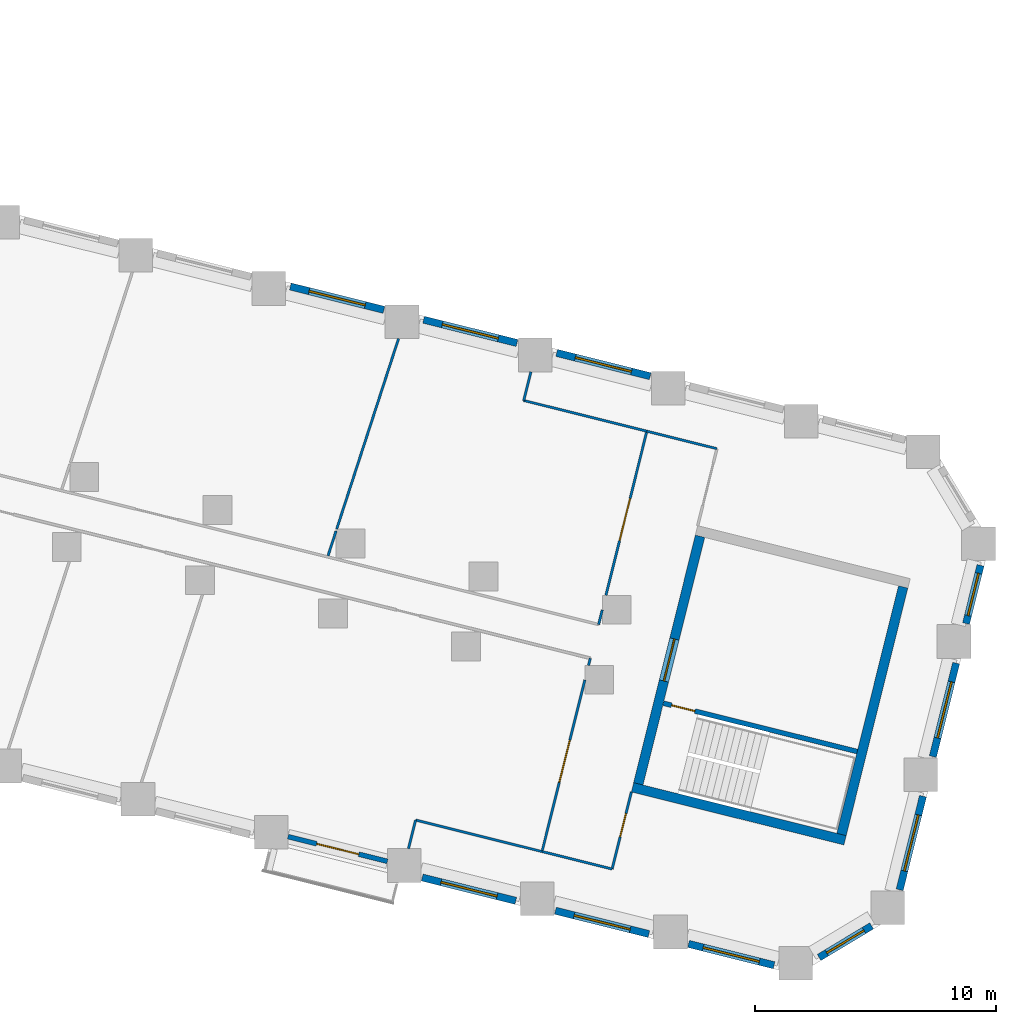
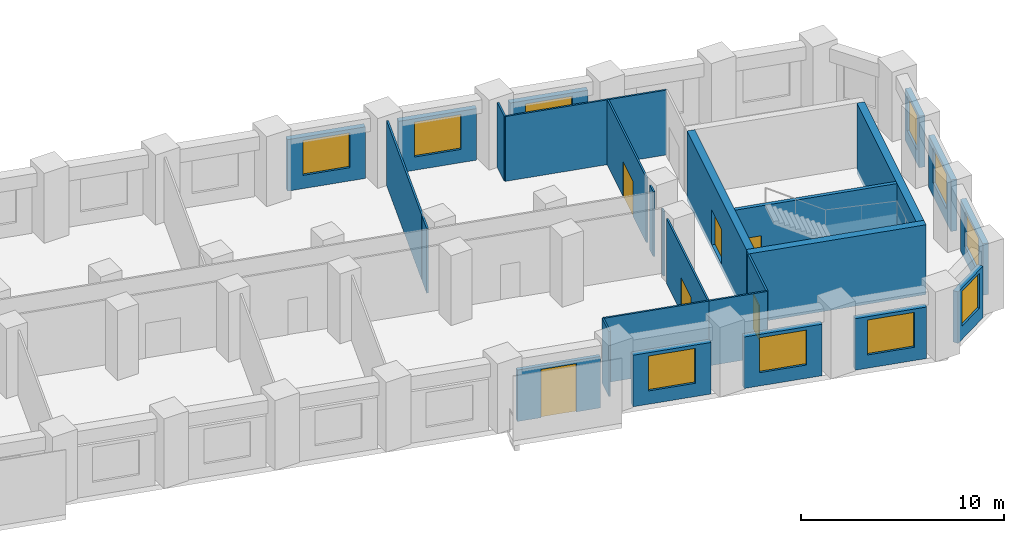
# One storey, part 7 of 12: 28 walls, 10 windows, 6 doors, 16 openings.
"""IFC4 building model written with IfcOpenShell, lengths in metres."""

import ifcopenshell
import ifcopenshell.guid

model = None  # the IFC model being written
_history = None  # IfcOwnerHistory: only IFC2X3 demands one
_inside = {}  # id of a spatial element -> (the spatial element, [elements in it])
_under = {}  # id of a project, library or spatial element -> (it, [spatial elements below it])
_declared = {}  # id of a project -> (the project, [libraries it declares])
_typed = {}  # id of a type object -> (the type object, [elements of that type])
_made_of = {}  # id of a material, layer set ... -> (it, [elements and type objects made of it])


def new_model(schema):
    """Start an empty IFC model of exactly this schema.

    Asked for "IFC4X3", IfcOpenShell would pick the latest addendum, in which some entities
    have other attributes; the version numbers below select the first issue.
    IFC2X3 requires an IfcOwnerHistory on every rooted entity: one is made here for all.
    """
    global model, _history
    if schema == "IFC4X3":
        model = ifcopenshell.file(schema_version=(4, 3, 0, 0))
    else:
        model = ifcopenshell.file(schema=schema)
    _inside.clear()
    _under.clear()
    _declared.clear()
    _typed.clear()
    _made_of.clear()
    _history = None
    if model.schema == "IFC2X3":
        org = make("IfcOrganization", Name="unknown")
        user = make(
            "IfcPersonAndOrganization",
            ThePerson=make("IfcPerson", FamilyName="unknown"),
            TheOrganization=org,
        )
        app = make(
            "IfcApplication",
            ApplicationDeveloper=org,
            Version="unknown",
            ApplicationFullName="unknown",
            ApplicationIdentifier="unknown",
        )
        _history = make(
            "IfcOwnerHistory",
            OwningUser=user,
            OwningApplication=app,
            ChangeAction="ADDED",
            CreationDate=0,
        )
    return model


def make(cls, **values):
    """One entity of the class cls with the attributes given. An attribute that is None is left unset."""
    return model.create_entity(
        cls, **{name: value for name, value in values.items() if value is not None}
    )


def rooted(cls, **values):
    """An entity with a GlobalId (a new one), such as an element, a storey or a relation."""
    return make(cls, GlobalId=ifcopenshell.guid.new(), OwnerHistory=_history, **values)


def si_unit(unit_type, name, prefix=None):
    """IfcSIUnit, for example si_unit("LENGTHUNIT", "METRE", prefix="MILLI")."""
    return make("IfcSIUnit", UnitType=unit_type, Prefix=prefix, Name=name)


def assignment(units):
    """IfcUnitAssignment: the units of a project."""
    return None if units is None else make("IfcUnitAssignment", Units=units)


def point(xyz):
    """IfcCartesianPoint."""
    return None if xyz is None else make("IfcCartesianPoint", Coordinates=xyz)


def direction(xyz):
    """IfcDirection."""
    return None if xyz is None else make("IfcDirection", DirectionRatios=xyz)


def frame(location, z_axis=None, x_axis=None):
    """IfcAxis2Placement3D, a coordinate frame: its origin and axes. An axis left out is left unset."""
    return make(
        "IfcAxis2Placement3D",
        Location=point(location),
        Axis=direction(z_axis),
        RefDirection=direction(x_axis),
    )


def frame_2d(location, x_axis=None):
    """IfcAxis2Placement2D, a coordinate frame in the plane: its origin and x axis."""
    return make(
        "IfcAxis2Placement2D", Location=point(location), RefDirection=direction(x_axis)
    )


def origin():
    """The frame at (0, 0, 0) with its axes left unset."""
    return frame((0.0, 0.0, 0.0))


def place(relative_to, where):
    """IfcLocalPlacement: puts the frame where relative to a parent placement (None: the world)."""
    return make(
        "IfcLocalPlacement", PlacementRelTo=relative_to, RelativePlacement=where
    )


def context(
    kind, dimensions, precision=None, world=None, true_north=None, identifier=None
):
    """IfcGeometricRepresentationContext, for example the 3D "Model" context."""
    return make(
        "IfcGeometricRepresentationContext",
        ContextIdentifier=identifier,
        ContextType=kind,
        CoordinateSpaceDimension=dimensions,
        Precision=precision,
        WorldCoordinateSystem=world,
        TrueNorth=true_north,
    )


def subcontext(parent, identifier, kind, view, scale=None):
    """IfcGeometricRepresentationSubContext, for example "Body" below "Model"."""
    return make(
        "IfcGeometricRepresentationSubContext",
        ContextIdentifier=identifier,
        ContextType=kind,
        ParentContext=parent,
        TargetScale=scale,
        TargetView=view,
    )


def project(units=None, contexts=None):
    """IfcProject with its units and contexts."""
    return rooted(
        "IfcProject",
        Name="project",
        RepresentationContexts=contexts,
        UnitsInContext=assignment(units),
    )


def spatial(cls, under=None, at=None, **own):
    """A site, building, storey or space (cls), placed at a placement, below another one or the project."""
    s = rooted(cls, ObjectPlacement=at, **own)
    if under is not None:
        _under.setdefault(under.id(), (under, []))[1].append(s)
    return s


def profile(cls, at=None, kind="AREA", **sizes):
    """A parametric profile (cls). Its sizes go by their IFC names, for example OverallWidth=200.0."""
    return make(cls, ProfileType=kind, Position=at, **sizes)


def rectangle(**sizes):
    """IfcRectangleProfileDef."""
    return profile("IfcRectangleProfileDef", **sizes)


def extrude(swept, where, along, depth):
    """IfcExtrudedAreaSolid: the profile swept, set in the frame where, extruded along a direction by depth."""
    return make(
        "IfcExtrudedAreaSolid",
        SweptArea=swept,
        Position=where,
        ExtrudedDirection=direction(along),
        Depth=depth,
    )


def shape(context_of_items, identifier, shape_type, items):
    """IfcShapeRepresentation: the items that make up one representation, for example the "Body"."""
    return make(
        "IfcShapeRepresentation",
        ContextOfItems=context_of_items,
        RepresentationIdentifier=identifier,
        RepresentationType=shape_type,
        Items=items,
    )


def material(Name=None, Category=None):
    """IfcMaterial."""
    return make("IfcMaterial", Name=Name, Category=Category)


def layer(
    of_material, thickness, ventilated=None, Name=None, Category=None, Priority=None
):
    """IfcMaterialLayer: one layer of a wall or slab, of a material (None: an air gap)."""
    return make(
        "IfcMaterialLayer",
        Material=of_material,
        LayerThickness=thickness,
        IsVentilated=ventilated,
        Name=Name,
        Category=Category,
        Priority=Priority,
    )


def layer_set(layers, Name=None):
    """IfcMaterialLayerSet."""
    return make("IfcMaterialLayerSet", MaterialLayers=layers, LayerSetName=Name)


def made_of(thing, what):
    """Note that an element or type object is made of a material, layer set ...; save() writes the relation."""
    if what is not None:
        _made_of.setdefault(what.id(), (what, []))[1].append(thing)
    return thing


def type_object(cls, material=None, **own):
    """A type object (cls), such as IfcWallType, which elements share."""
    return made_of(rooted(cls, **own), material)


def element(
    cls,
    number,
    at=None,
    inside=None,
    cuts=None,
    type_object=None,
    material=None,
    context=None,
    identifier="Body",
    shape_type=None,
    held_by="IfcProductDefinitionShape",
    body=None,
    shapes=None,
    **own,
):
    """One element of the class cls, such as IfcWall. Its Tag is "e" and its number.

    at: its placement. inside: the storey or other place that contains it. cuts: it is an
    opening in that element (IfcRelVoidsElement). A single representation is given by context,
    identifier, shape_type and body (its items); several are given by shapes. held_by: the class
    of the entity that holds the representations. save() writes the other relations.
    """
    e = rooted(cls, Tag="e%d" % number, ObjectPlacement=at, **own)
    if body is not None:
        shapes = [shape(context, identifier, shape_type, body)]
    if shapes is not None:
        e.Representation = make(held_by, Representations=shapes)
    if inside is not None:
        _inside.setdefault(inside.id(), (inside, []))[1].append(e)
    if cuts is not None:
        rooted(
            "IfcRelVoidsElement", RelatingBuildingElement=cuts, RelatedOpeningElement=e
        )
    if type_object is not None:
        _typed.setdefault(type_object.id(), (type_object, []))[1].append(e)
    return made_of(e, material)


def fill(opening, filler):
    """IfcRelFillsElement: the door or window that sits in an opening."""
    return rooted(
        "IfcRelFillsElement",
        RelatingOpeningElement=opening,
        RelatedBuildingElement=filler,
    )


def aggregate(whole, parts):
    """IfcRelAggregates: a whole, such as a stair, and the parts it consists of."""
    return rooted("IfcRelAggregates", RelatingObject=whole, RelatedObjects=parts)


def save(model, path):
    """Write the relations noted so far, then the file.

    IfcRelAggregates (storeys below a building ...), IfcRelContainedInSpatialStructure (elements
    in a storey), IfcRelDefinesByType, IfcRelAssociatesMaterial and IfcRelDeclares: one each for
    every whole, place, type object, material and project.
    """
    for whole, parts in _under.values():
        aggregate(whole, parts)
    for where, things in _inside.values():
        rooted(
            "IfcRelContainedInSpatialStructure",
            RelatedElements=things,
            RelatingStructure=where,
        )
    for kind, things in _typed.values():
        rooted("IfcRelDefinesByType", RelatedObjects=things, RelatingType=kind)
    for what, things in _made_of.values():
        rooted("IfcRelAssociatesMaterial", RelatedObjects=things, RelatingMaterial=what)
    for by, libraries in _declared.values():
        rooted("IfcRelDeclares", RelatingContext=by, RelatedDefinitions=libraries)
    model.write(path)


model = new_model("IFC4")

# Units and contexts
model_context = context("Model", 3, precision=1e-05, world=origin(), true_north=direction((0.0, 1.0)))
body_context = subcontext(model_context, "Body", "Model", "MODEL_VIEW")
ifc_project = project(units=[si_unit("LENGTHUNIT", "METRE"), si_unit("AREAUNIT", "SQUARE_METRE"), si_unit("VOLUMEUNIT", "CUBIC_METRE"), si_unit("PLANEANGLEUNIT", "RADIAN"), si_unit("MASSUNIT", "GRAM", prefix="KILO")], contexts=[model_context])

# Site, building, storey
site_placement = place(None, origin())
site = spatial("IfcSite", under=ifc_project, at=site_placement, CompositionType="ELEMENT")
building_placement = place(site_placement, origin())
building = spatial("IfcBuilding", under=site, at=building_placement, Name="Meshkara Civic Tower", CompositionType="ELEMENT")
storey_placement = place(building_placement, frame((0.0, 0.0, 62.39990234375)))
storey = spatial("IfcBuildingStorey", under=building, at=storey_placement, Name="L13", CompositionType="ELEMENT", Elevation=62.39990234375)

# Wall
ifc_material_1 = material(Name="Corridor wall 100")
ifc_layer_1 = layer(ifc_material_1, 0.10009765625)
ifc_layer_set_1 = layer_set([ifc_layer_1], Name="Corridor wall 100")
wall_type_1 = type_object("IfcWallType", Name="Corridor wall 100", PredefinedType="PARTITIONING", material=ifc_layer_set_1)
wall_1_placement = place(storey_placement, frame((72.35302734375, -15.56591796875, 0.0), z_axis=(0.0, 0.0, 1.0), x_axis=(0.970271610033, -0.242018600037, 0.0)))
element("IfcWall", 1, at=wall_1_placement, inside=storey, type_object=wall_type_1, Name="L13-W024", PredefinedType="PARTITIONING", context=body_context, shape_type="SweptSolid", body=[
    extrude(rectangle(XDim=3.0, YDim=0.10009765625, at=frame_2d((1.5, 0.0))), origin(), (0.0, 0.0, 1.0), 3.900146484375),
])

# Wall, opening, door
wall_2_placement = place(storey_placement, frame((74.131103515625, -8.43701171875, 0.0), z_axis=(0.0, 0.0, 1.0), x_axis=(-0.242003930935, -0.970275268886, 0.0)))
wall_2 = element("IfcWall", 2, at=wall_2_placement, inside=storey, type_object=wall_type_1, Name="L13-W025", PredefinedType="PARTITIONING", context=body_context, shape_type="SweptSolid", body=[
    extrude(rectangle(XDim=7.347412109375, YDim=0.10009765625, at=frame_2d((3.673828125, 0.0))), origin(), (0.0, 0.0, 1.0), 3.900146484375),
])
opening_1_placement = place(wall_2_placement, frame((2.580078125, 0.0, 0.0)))
opening_1 = element("IfcOpeningElement", 3, at=opening_1_placement, cuts=wall_2, Name="Opening L13-D002", PredefinedType="OPENING", context=body_context, shape_type="SweptSolid", body=[
    extrude(rectangle(XDim=1.800048828125, YDim=2.10009765625, at=frame_2d((0.89990234375, 1.050048828125))), frame((0.0, 0.06005859375, 0.0), z_axis=(0.0, -1.0, 0.0), x_axis=(1.0, 0.0, 0.0)), (0.0, 0.0, 1.0), 0.1201171875),
])
ifc_material_2 = material(Name="Door pair 1800 x 2100")
door_type_1 = type_object("IfcDoorType", Name="Door pair 1800 x 2100", OperationType="SINGLE_SWING_LEFT", PredefinedType="DOOR", material=ifc_material_2)
door_1_placement = place(opening_1_placement, origin())
door_1 = element("IfcDoor", 4, at=door_1_placement, inside=storey, type_object=door_type_1, Name="L13-D002", OperationType="DOUBLE_DOOR_SINGLE_SWING", OverallHeight=2.10009765625, OverallWidth=1.800048828125, PredefinedType="DOOR", context=body_context, shape_type="SweptSolid", body=[
    extrude(rectangle(XDim=1.800048828125, YDim=2.10009765625, at=frame_2d((0.89990234375, 1.050048828125))), frame((0.0, 0.02490234375, 0.0), z_axis=(0.0, -1.0, 0.0), x_axis=(1.0, 0.0, 0.0)), (0.0, 0.0, 1.0), 0.050048828125),
])
fill(opening_1, door_1)

# Walls
wall_3_placement = place(storey_placement, frame((74.35595703125, -7.534912109375, 0.0), z_axis=(0.0, 0.0, 1.0), x_axis=(-0.24082959107, -0.970567415518, 0.0)))
element("IfcWall", 5, at=wall_3_placement, inside=storey, type_object=wall_type_1, Name="L13-W026", PredefinedType="PARTITIONING", context=body_context, shape_type="SweptSolid", body=[
    extrude(rectangle(XDim=0.30322265625, YDim=0.10009765625, at=frame_2d((0.151611328125, 0.0))), origin(), (0.0, 0.0, 1.0), 3.900146484375),
])
wall_4_placement = place(storey_placement, frame((74.85595703125, -5.527099609375, 0.0), z_axis=(0.0, 0.0, 1.0), x_axis=(-0.241982798004, -0.970280539571, 0.0)))
element("IfcWall", 6, at=wall_4_placement, inside=storey, type_object=wall_type_1, Name="L13-W027", PredefinedType="PARTITIONING", context=body_context, shape_type="SweptSolid", body=[
    extrude(rectangle(XDim=0.62353515625, YDim=0.10009765625, at=frame_2d((0.311767578125, 0.0))), origin(), (0.0, 0.0, 1.0), 3.900146484375),
])

# Wall, opening, door
wall_5_placement = place(storey_placement, frame((75.263916015625, -16.2919921875, 0.0), z_axis=(0.0, 0.0, 1.0), x_axis=(0.242135244173, 0.970242507587, 0.0)))
wall_5 = element("IfcWall", 7, at=wall_5_placement, inside=storey, type_object=wall_type_1, Name="L13-W028", PredefinedType="PARTITIONING", context=body_context, shape_type="SweptSolid", body=[
    extrude(rectangle(XDim=3.300048828125, YDim=0.10009765625, at=frame_2d((1.64990234375, 0.0))), origin(), (0.0, 0.0, 1.0), 3.900146484375),
])
opening_2_placement = place(wall_5_placement, frame((1.3798828125, 0.0, 0.0)))
opening_2 = element("IfcOpeningElement", 8, at=opening_2_placement, cuts=wall_5, Name="Opening L13-D001", PredefinedType="OPENING", context=body_context, shape_type="SweptSolid", body=[
    extrude(rectangle(XDim=1.0, YDim=2.10009765625, at=frame_2d((0.5, 1.050048828125))), frame((0.0, 0.06005859375, 0.0), z_axis=(0.0, -1.0, 0.0), x_axis=(1.0, 0.0, 0.0)), (0.0, 0.0, 1.0), 0.1201171875),
])
ifc_material_3 = material(Name="Door 1000 x 2100")
door_type_2 = type_object("IfcDoorType", Name="Door 1000 x 2100", OperationType="SINGLE_SWING_LEFT", PredefinedType="DOOR", material=ifc_material_3)
door_2_placement = place(opening_2_placement, origin())
door_2 = element("IfcDoor", 9, at=door_2_placement, inside=storey, type_object=door_type_2, Name="L13-D001", OperationType="SINGLE_SWING_LEFT", OverallHeight=2.10009765625, OverallWidth=1.0, PredefinedType="DOOR", context=body_context, shape_type="SweptSolid", body=[
    extrude(rectangle(XDim=1.0, YDim=2.10009765625, at=frame_2d((0.5, 1.050048828125))), frame((0.0, 0.02490234375, 0.0), z_axis=(0.0, -1.0, 0.0), x_axis=(1.0, 0.0, 0.0)), (0.0, 0.0, 1.0), 0.050048828125),
])
fill(opening_2, door_2)

wall_6_placement = place(storey_placement, frame((76.7080078125, 1.89892578125, 0.0), z_axis=(0.0, 0.0, 1.0), x_axis=(-0.241963232294, -0.970285418945, 0.0)))
wall_6 = element("IfcWall", 10, at=wall_6_placement, inside=storey, type_object=wall_type_1, Name="L13-W029", PredefinedType="PARTITIONING", context=body_context, shape_type="SweptSolid", body=[
    extrude(rectangle(XDim=7.025634765625, YDim=0.10009765625, at=frame_2d((3.5126953125, 0.0))), origin(), (0.0, 0.0, 1.0), 3.900146484375),
])
opening_3_placement = place(wall_6_placement, frame((2.8798828125, 0.0, 0.0)))
opening_3 = element("IfcOpeningElement", 11, at=opening_3_placement, cuts=wall_6, Name="Opening L13-D007", PredefinedType="OPENING", context=body_context, shape_type="SweptSolid", body=[
    extrude(rectangle(XDim=1.800048828125, YDim=2.10009765625, at=frame_2d((0.89990234375, 1.050048828125))), frame((0.0, 0.06005859375, 0.0), z_axis=(0.0, -1.0, 0.0), x_axis=(1.0, 0.0, 0.0)), (0.0, 0.0, 1.0), 0.1201171875),
])
door_3_placement = place(opening_3_placement, origin())
door_3 = element("IfcDoor", 12, at=door_3_placement, inside=storey, type_object=door_type_1, Name="L13-D007", OperationType="DOUBLE_DOOR_SINGLE_SWING", OverallHeight=2.10009765625, OverallWidth=1.800048828125, PredefinedType="DOOR", context=body_context, shape_type="SweptSolid", body=[
    extrude(rectangle(XDim=1.800048828125, YDim=2.10009765625, at=frame_2d((0.89990234375, 1.050048828125))), frame((0.0, 0.02490234375, 0.0), z_axis=(0.0, -1.0, 0.0), x_axis=(1.0, 0.0, 0.0)), (0.0, 0.0, 1.0), 0.050048828125),
])
fill(opening_3, door_3)

# Wall
wall_7_placement = place(storey_placement, frame((79.618896484375, 1.173095703125, 0.0), z_axis=(0.0, 0.0, 1.0), x_axis=(-0.970290716908, 0.241941986192, 0.0)))
element("IfcWall", 13, at=wall_7_placement, inside=storey, type_object=wall_type_1, Name="L13-W031", PredefinedType="PARTITIONING", context=body_context, shape_type="SweptSolid", body=[
    extrude(rectangle(XDim=3.0, YDim=0.10009765625, at=frame_2d((1.5, 0.0))), origin(), (0.0, 0.0, 1.0), 3.900146484375),
])

# Wall, opening, window
ifc_material_4 = material(Name="Insulated infill panel with bronze anodised aluminium cladding", Category="aluminium")
ifc_layer_2 = layer(ifc_material_4, 0.300048828125)
ifc_layer_set_2 = layer_set([ifc_layer_2], Name="EXTERNAL INFILL WALL 300")
wall_type_2 = type_object("IfcWallType", Name="EXTERNAL INFILL WALL 300", PredefinedType="SOLIDWALL", material=ifc_layer_set_2)
wall_8_placement = place(storey_placement, frame((76.843994140625, 4.18408203125, 0.0), z_axis=(0.0, 0.0, 1.0), x_axis=(-0.970303772127, 0.241889623168, 0.0)))
wall_8 = element("IfcWall", 14, at=wall_8_placement, inside=storey, type_object=wall_type_2, Name="External wall", PredefinedType="SOLIDWALL", context=body_context, shape_type="SweptSolid", body=[
    extrude(rectangle(XDim=4.001953125, YDim=0.300048828125, at=frame_2d((2.0009765625, 0.0))), origin(), (0.0, 0.0, 1.0), 3.10009765625),
])
opening_4_placement = place(wall_8_placement, frame((0.801025390625, 0.0, 0.800048828125)))
opening_4 = element("IfcOpeningElement", 15, at=opening_4_placement, cuts=wall_8, Name="Opening W7", PredefinedType="OPENING", context=body_context, shape_type="SweptSolid", body=[
    extrude(rectangle(XDim=2.39990234375, YDim=2.10009765625, at=frame_2d((1.199951171875, 1.050048828125))), frame((0.0, 0.159912109375, 0.0), z_axis=(0.0, -1.0, 0.0), x_axis=(1.0, 0.0, 0.0)), (0.0, 0.0, 1.0), 0.320068359375),
])
ifc_material_5 = material(Name="Tinted double glazing", Category="glass")
window_type_1 = type_object("IfcWindowType", Name="WINDOW 2400x2100", PartitioningType="DOUBLE_PANEL_VERTICAL", PredefinedType="WINDOW", material=ifc_material_5)
window_1_placement = place(opening_4_placement, origin())
window_1 = element("IfcWindow", 16, at=window_1_placement, inside=storey, type_object=window_type_1, Name="Window", OverallHeight=2.10009765625, OverallWidth=2.39990234375, PartitioningType="DOUBLE_PANEL_VERTICAL", PredefinedType="WINDOW", context=body_context, shape_type="SweptSolid", body=[
    extrude(rectangle(XDim=2.39990234375, YDim=2.10009765625, at=frame_2d((1.199951171875, 1.050048828125))), frame((0.0, 0.030029296875, 0.0), z_axis=(0.0, -1.0, 0.0), x_axis=(1.0, 0.0, 0.0)), (0.0, 0.0, 1.0), 0.06005859375),
])
fill(opening_4, window_1)

wall_9_placement = place(storey_placement, frame((71.31396484375, 5.56298828125, 0.0), z_axis=(0.0, 0.0, 1.0), x_axis=(-0.970318045095, 0.24183236211, 0.0)))
wall_9 = element("IfcWall", 17, at=wall_9_placement, inside=storey, type_object=wall_type_2, Name="External wall", PredefinedType="SOLIDWALL", context=body_context, shape_type="SweptSolid", body=[
    extrude(rectangle(XDim=4.0029296875, YDim=0.300048828125, at=frame_2d((2.00146484375, 0.0))), origin(), (0.0, 0.0, 1.0), 3.10009765625),
])
opening_5_placement = place(wall_9_placement, frame((0.802001953125, 0.0, 0.800048828125)))
opening_5 = element("IfcOpeningElement", 18, at=opening_5_placement, cuts=wall_9, Name="Opening W7", PredefinedType="OPENING", context=body_context, shape_type="SweptSolid", body=[
    extrude(rectangle(XDim=2.39990234375, YDim=2.10009765625, at=frame_2d((1.199951171875, 1.050048828125))), frame((0.0, 0.159912109375, 0.0), z_axis=(0.0, -1.0, 0.0), x_axis=(1.0, 0.0, 0.0)), (0.0, 0.0, 1.0), 0.320068359375),
])
window_2_placement = place(opening_5_placement, origin())
window_2 = element("IfcWindow", 19, at=window_2_placement, inside=storey, type_object=window_type_1, Name="Window", OverallHeight=2.10009765625, OverallWidth=2.39990234375, PartitioningType="DOUBLE_PANEL_VERTICAL", PredefinedType="WINDOW", context=body_context, shape_type="SweptSolid", body=[
    extrude(rectangle(XDim=2.39990234375, YDim=2.10009765625, at=frame_2d((1.199951171875, 1.050048828125))), frame((0.0, 0.030029296875, 0.0), z_axis=(0.0, -1.0, 0.0), x_axis=(1.0, 0.0, 0.0)), (0.0, 0.0, 1.0), 0.06005859375),
])
fill(opening_5, window_2)

wall_10_placement = place(storey_placement, frame((65.782958984375, 6.94189453125, 0.0), z_axis=(0.0, 0.0, 1.0), x_axis=(-0.970318045095, 0.24183236211, 0.0)))
wall_10 = element("IfcWall", 20, at=wall_10_placement, inside=storey, type_object=wall_type_2, Name="External wall", PredefinedType="SOLIDWALL", context=body_context, shape_type="SweptSolid", body=[
    extrude(rectangle(XDim=4.0029296875, YDim=0.300048828125, at=frame_2d((2.00146484375, 0.0))), origin(), (0.0, 0.0, 1.0), 3.10009765625),
])
opening_6_placement = place(wall_10_placement, frame((0.802001953125, 0.0, 0.800048828125)))
opening_6 = element("IfcOpeningElement", 21, at=opening_6_placement, cuts=wall_10, Name="Opening W7", PredefinedType="OPENING", context=body_context, shape_type="SweptSolid", body=[
    extrude(rectangle(XDim=2.39990234375, YDim=2.10009765625, at=frame_2d((1.199951171875, 1.050048828125))), frame((0.0, 0.159912109375, 0.0), z_axis=(0.0, -1.0, 0.0), x_axis=(1.0, 0.0, 0.0)), (0.0, 0.0, 1.0), 0.320068359375),
])
window_3_placement = place(opening_6_placement, origin())
window_3 = element("IfcWindow", 22, at=window_3_placement, inside=storey, type_object=window_type_1, Name="Window", OverallHeight=2.10009765625, OverallWidth=2.39990234375, PartitioningType="DOUBLE_PANEL_VERTICAL", PredefinedType="WINDOW", context=body_context, shape_type="SweptSolid", body=[
    extrude(rectangle(XDim=2.39990234375, YDim=2.10009765625, at=frame_2d((1.199951171875, 1.050048828125))), frame((0.0, 0.030029296875, 0.0), z_axis=(0.0, -1.0, 0.0), x_axis=(1.0, 0.0, 0.0)), (0.0, 0.0, 1.0), 0.06005859375),
])
fill(opening_6, window_3)

wall_11_placement = place(storey_placement, frame((67.3779296875, -16.64404296875, 0.0), z_axis=(0.0, 0.0, 1.0), x_axis=(0.970260773365, -0.242062040951, 0.0)))
wall_11 = element("IfcWall", 23, at=wall_11_placement, inside=storey, type_object=wall_type_2, Name="External wall", PredefinedType="SOLIDWALL", context=body_context, shape_type="SweptSolid", body=[
    extrude(rectangle(XDim=4.003173828125, YDim=0.300048828125, at=frame_2d((2.00146484375, 0.0))), origin(), (0.0, 0.0, 1.0), 3.10009765625),
])
opening_7_placement = place(wall_11_placement, frame((0.802001953125, 0.0, 0.800048828125)))
opening_7 = element("IfcOpeningElement", 24, at=opening_7_placement, cuts=wall_11, Name="Opening W7", PredefinedType="OPENING", context=body_context, shape_type="SweptSolid", body=[
    extrude(rectangle(XDim=2.39990234375, YDim=2.10009765625, at=frame_2d((1.199951171875, 1.050048828125))), frame((0.0, 0.159912109375, 0.0), z_axis=(0.0, -1.0, 0.0), x_axis=(1.0, 0.0, 0.0)), (0.0, 0.0, 1.0), 0.320068359375),
])
window_4_placement = place(opening_7_placement, origin())
window_4 = element("IfcWindow", 25, at=window_4_placement, inside=storey, type_object=window_type_1, Name="Window", OverallHeight=2.10009765625, OverallWidth=2.39990234375, PartitioningType="DOUBLE_PANEL_VERTICAL", PredefinedType="WINDOW", context=body_context, shape_type="SweptSolid", body=[
    extrude(rectangle(XDim=2.39990234375, YDim=2.10009765625, at=frame_2d((1.199951171875, 1.050048828125))), frame((0.0, 0.030029296875, 0.0), z_axis=(0.0, -1.0, 0.0), x_axis=(1.0, 0.0, 0.0)), (0.0, 0.0, 1.0), 0.06005859375),
])
fill(opening_7, window_4)

wall_12_placement = place(storey_placement, frame((72.908935546875, -18.02294921875, 0.0), z_axis=(0.0, 0.0, 1.0), x_axis=(0.970260773365, -0.242062040951, 0.0)))
wall_12 = element("IfcWall", 26, at=wall_12_placement, inside=storey, type_object=wall_type_2, Name="External wall", PredefinedType="SOLIDWALL", context=body_context, shape_type="SweptSolid", body=[
    extrude(rectangle(XDim=4.003173828125, YDim=0.300048828125, at=frame_2d((2.00146484375, 0.0))), origin(), (0.0, 0.0, 1.0), 3.10009765625),
])
opening_8_placement = place(wall_12_placement, frame((0.802001953125, 0.0, 0.800048828125)))
opening_8 = element("IfcOpeningElement", 27, at=opening_8_placement, cuts=wall_12, Name="Opening W7", PredefinedType="OPENING", context=body_context, shape_type="SweptSolid", body=[
    extrude(rectangle(XDim=2.39990234375, YDim=2.10009765625, at=frame_2d((1.199951171875, 1.050048828125))), frame((0.0, 0.159912109375, 0.0), z_axis=(0.0, -1.0, 0.0), x_axis=(1.0, 0.0, 0.0)), (0.0, 0.0, 1.0), 0.320068359375),
])
window_5_placement = place(opening_8_placement, origin())
window_5 = element("IfcWindow", 28, at=window_5_placement, inside=storey, type_object=window_type_1, Name="Window", OverallHeight=2.10009765625, OverallWidth=2.39990234375, PartitioningType="DOUBLE_PANEL_VERTICAL", PredefinedType="WINDOW", context=body_context, shape_type="SweptSolid", body=[
    extrude(rectangle(XDim=2.39990234375, YDim=2.10009765625, at=frame_2d((1.199951171875, 1.050048828125))), frame((0.0, 0.030029296875, 0.0), z_axis=(0.0, -1.0, 0.0), x_axis=(1.0, 0.0, 0.0)), (0.0, 0.0, 1.0), 0.06005859375),
])
fill(opening_8, window_5)

wall_13_placement = place(storey_placement, frame((78.43994140625, -19.402099609375, 0.0), z_axis=(0.0, 0.0, 1.0), x_axis=(0.970271818873, -0.24201776278, 0.0)))
wall_13 = element("IfcWall", 29, at=wall_13_placement, inside=storey, type_object=wall_type_2, Name="External wall", PredefinedType="SOLIDWALL", context=body_context, shape_type="SweptSolid", body=[
    extrude(rectangle(XDim=3.660888671875, YDim=0.300048828125, at=frame_2d((1.83056640625, 0.0))), origin(), (0.0, 0.0, 1.0), 3.10009765625),
])
opening_9_placement = place(wall_13_placement, frame((0.6298828125, 0.0, 0.800048828125)))
opening_9 = element("IfcOpeningElement", 30, at=opening_9_placement, cuts=wall_13, Name="Opening W7", PredefinedType="OPENING", context=body_context, shape_type="SweptSolid", body=[
    extrude(rectangle(XDim=2.39990234375, YDim=2.10009765625, at=frame_2d((1.199951171875, 1.050048828125))), frame((0.0, 0.159912109375, 0.0), z_axis=(0.0, -1.0, 0.0), x_axis=(1.0, 0.0, 0.0)), (0.0, 0.0, 1.0), 0.320068359375),
])
window_6_placement = place(opening_9_placement, origin())
window_6 = element("IfcWindow", 31, at=window_6_placement, inside=storey, type_object=window_type_1, Name="Window", OverallHeight=2.10009765625, OverallWidth=2.39990234375, PartitioningType="DOUBLE_PANEL_VERTICAL", PredefinedType="WINDOW", context=body_context, shape_type="SweptSolid", body=[
    extrude(rectangle(XDim=2.39990234375, YDim=2.10009765625, at=frame_2d((1.199951171875, 1.050048828125))), frame((0.0, 0.030029296875, 0.0), z_axis=(0.0, -1.0, 0.0), x_axis=(1.0, 0.0, 0.0)), (0.0, 0.0, 1.0), 0.06005859375),
])
fill(opening_9, window_6)

wall_14_placement = place(storey_placement, frame((83.865966796875, -19.965087890625, 0.0), z_axis=(0.0, 0.0, 1.0), x_axis=(0.857026568426, 0.515272220299, 0.0)))
wall_14 = element("IfcWall", 32, at=wall_14_placement, inside=storey, type_object=wall_type_2, Name="External wall", PredefinedType="SOLIDWALL", context=body_context, shape_type="SweptSolid", body=[
    extrude(rectangle(XDim=2.54248046875, YDim=0.300048828125, at=frame_2d((1.271240234375, 0.0))), origin(), (0.0, 0.0, 1.0), 3.10009765625),
])
opening_10_placement = place(wall_14_placement, frame((0.37109375, 0.0, 0.800048828125)))
opening_10 = element("IfcOpeningElement", 33, at=opening_10_placement, cuts=wall_14, Name="Opening W9", PredefinedType="OPENING", context=body_context, shape_type="SweptSolid", body=[
    extrude(rectangle(XDim=1.800048828125, YDim=2.10009765625, at=frame_2d((0.89990234375, 1.050048828125))), frame((0.0, 0.159912109375, 0.0), z_axis=(0.0, -1.0, 0.0), x_axis=(1.0, 0.0, 0.0)), (0.0, 0.0, 1.0), 0.320068359375),
])
ifc_material_6 = material(Name="Tinted double glazing", Category="glass")
window_type_2 = type_object("IfcWindowType", Name="WINDOW 1800x2100", PartitioningType="DOUBLE_PANEL_VERTICAL", PredefinedType="WINDOW", material=ifc_material_6)
window_7_placement = place(opening_10_placement, origin())
window_7 = element("IfcWindow", 34, at=window_7_placement, inside=storey, type_object=window_type_2, Name="Window", OverallHeight=2.10009765625, OverallWidth=1.800048828125, PartitioningType="DOUBLE_PANEL_VERTICAL", PredefinedType="WINDOW", context=body_context, shape_type="SweptSolid", body=[
    extrude(rectangle(XDim=1.800048828125, YDim=2.10009765625, at=frame_2d((0.89990234375, 1.050048828125))), frame((0.0, 0.030029296875, 0.0), z_axis=(0.0, -1.0, 0.0), x_axis=(1.0, 0.0, 0.0)), (0.0, 0.0, 1.0), 0.06005859375),
])
fill(opening_10, window_7)

wall_15_placement = place(storey_placement, frame((87.2109375, -17.152099609375, 0.0), z_axis=(0.0, 0.0, 1.0), x_axis=(0.24183236211, 0.970318045095, 0.0)))
wall_15 = element("IfcWall", 35, at=wall_15_placement, inside=storey, type_object=wall_type_2, Name="External wall", PredefinedType="SOLIDWALL", context=body_context, shape_type="SweptSolid", body=[
    extrude(rectangle(XDim=4.0029296875, YDim=0.300048828125, at=frame_2d((2.00146484375, 0.0))), origin(), (0.0, 0.0, 1.0), 3.10009765625),
])
opening_11_placement = place(wall_15_placement, frame((0.802001953125, 0.0, 0.800048828125)))
opening_11 = element("IfcOpeningElement", 36, at=opening_11_placement, cuts=wall_15, Name="Opening W7", PredefinedType="OPENING", context=body_context, shape_type="SweptSolid", body=[
    extrude(rectangle(XDim=2.39990234375, YDim=2.10009765625, at=frame_2d((1.199951171875, 1.050048828125))), frame((0.0, 0.159912109375, 0.0), z_axis=(0.0, -1.0, 0.0), x_axis=(1.0, 0.0, 0.0)), (0.0, 0.0, 1.0), 0.320068359375),
])
window_8_placement = place(opening_11_placement, origin())
window_8 = element("IfcWindow", 37, at=window_8_placement, inside=storey, type_object=window_type_1, Name="Window", OverallHeight=2.10009765625, OverallWidth=2.39990234375, PartitioningType="DOUBLE_PANEL_VERTICAL", PredefinedType="WINDOW", context=body_context, shape_type="SweptSolid", body=[
    extrude(rectangle(XDim=2.39990234375, YDim=2.10009765625, at=frame_2d((1.199951171875, 1.050048828125))), frame((0.0, 0.030029296875, 0.0), z_axis=(0.0, -1.0, 0.0), x_axis=(1.0, 0.0, 0.0)), (0.0, 0.0, 1.0), 0.06005859375),
])
fill(opening_11, window_8)

wall_16_placement = place(storey_placement, frame((88.590087890625, -11.62109375, 0.0), z_axis=(0.0, 0.0, 1.0), x_axis=(0.241889623168, 0.970303772127, 0.0)))
wall_16 = element("IfcWall", 38, at=wall_16_placement, inside=storey, type_object=wall_type_2, Name="External wall", PredefinedType="SOLIDWALL", context=body_context, shape_type="SweptSolid", body=[
    extrude(rectangle(XDim=4.001953125, YDim=0.300048828125, at=frame_2d((2.0009765625, 0.0))), origin(), (0.0, 0.0, 1.0), 3.10009765625),
])
opening_12_placement = place(wall_16_placement, frame((0.801025390625, 0.0, 0.800048828125)))
opening_12 = element("IfcOpeningElement", 39, at=opening_12_placement, cuts=wall_16, Name="Opening W7", PredefinedType="OPENING", context=body_context, shape_type="SweptSolid", body=[
    extrude(rectangle(XDim=2.39990234375, YDim=2.10009765625, at=frame_2d((1.199951171875, 1.050048828125))), frame((0.0, 0.159912109375, 0.0), z_axis=(0.0, -1.0, 0.0), x_axis=(1.0, 0.0, 0.0)), (0.0, 0.0, 1.0), 0.320068359375),
])
window_9_placement = place(opening_12_placement, origin())
window_9 = element("IfcWindow", 40, at=window_9_placement, inside=storey, type_object=window_type_1, Name="Window", OverallHeight=2.10009765625, OverallWidth=2.39990234375, PartitioningType="DOUBLE_PANEL_VERTICAL", PredefinedType="WINDOW", context=body_context, shape_type="SweptSolid", body=[
    extrude(rectangle(XDim=2.39990234375, YDim=2.10009765625, at=frame_2d((1.199951171875, 1.050048828125))), frame((0.0, 0.030029296875, 0.0), z_axis=(0.0, -1.0, 0.0), x_axis=(1.0, 0.0, 0.0)), (0.0, 0.0, 1.0), 0.06005859375),
])
fill(opening_12, window_9)

wall_17_placement = place(storey_placement, frame((89.968994140625, -6.091064453125, 0.0), z_axis=(0.0, 0.0, 1.0), x_axis=(0.241797277733, 0.9703267885, 0.0)))
wall_17 = element("IfcWall", 41, at=wall_17_placement, inside=storey, type_object=wall_type_2, Name="External wall", PredefinedType="SOLIDWALL", context=body_context, shape_type="SweptSolid", body=[
    extrude(rectangle(XDim=2.489990234375, YDim=0.300048828125, at=frame_2d((1.2451171875, 0.0))), origin(), (0.0, 0.0, 1.0), 3.10009765625),
])
opening_13_placement = place(wall_17_placement, frame((0.344970703125, 0.0, 0.800048828125)))
opening_13 = element("IfcOpeningElement", 42, at=opening_13_placement, cuts=wall_17, Name="Opening W9", PredefinedType="OPENING", context=body_context, shape_type="SweptSolid", body=[
    extrude(rectangle(XDim=1.800048828125, YDim=2.10009765625, at=frame_2d((0.89990234375, 1.050048828125))), frame((0.0, 0.159912109375, 0.0), z_axis=(0.0, -1.0, 0.0), x_axis=(1.0, 0.0, 0.0)), (0.0, 0.0, 1.0), 0.320068359375),
])
window_10_placement = place(opening_13_placement, origin())
window_10 = element("IfcWindow", 43, at=window_10_placement, inside=storey, type_object=window_type_2, Name="Window", OverallHeight=2.10009765625, OverallWidth=1.800048828125, PartitioningType="DOUBLE_PANEL_VERTICAL", PredefinedType="WINDOW", context=body_context, shape_type="SweptSolid", body=[
    extrude(rectangle(XDim=1.800048828125, YDim=2.10009765625, at=frame_2d((0.89990234375, 1.050048828125))), frame((0.0, 0.030029296875, 0.0), z_axis=(0.0, -1.0, 0.0), x_axis=(1.0, 0.0, 0.0)), (0.0, 0.0, 1.0), 0.06005859375),
])
fill(opening_13, window_10)

# Wall
ifc_material_7 = material(Name="Concrete C80", Category="concrete")
ifc_layer_3 = layer(ifc_material_7, 0.39990234375)
ifc_layer_set_3 = layer_set([ifc_layer_3], Name="End core ring wall 400 C80")
wall_type_3 = type_object("IfcWallType", Name="End core ring wall 400 C80", PredefinedType="SHEAR", material=ifc_layer_set_3)
wall_18_placement = place(storey_placement, frame((76.111083984375, -12.89599609375, -0.2998046875), z_axis=(0.0, 0.0, 1.0), x_axis=(0.970311127573, -0.241860115992, 0.0)))
element("IfcWall", 44, at=wall_18_placement, inside=storey, type_object=wall_type_3, Name="L13-C031", PredefinedType="SHEAR", context=body_context, shape_type="SweptSolid", body=[
    extrude(rectangle(XDim=9.10009765625, YDim=0.39990234375, at=frame_2d((4.550048828125, 0.0))), origin(), (0.0, 0.0, 1.0), 4.199951171875),
])

# Wall, opening, door
wall_19_placement = place(storey_placement, frame((76.35302734375, -12.75, -0.2998046875), z_axis=(0.0, 0.0, 1.0), x_axis=(0.241977390218, 0.970281888228, 0.0)))
wall_19 = element("IfcWall", 45, at=wall_19_placement, inside=storey, type_object=wall_type_3, Name="L13-C033", PredefinedType="SHEAR", context=body_context, shape_type="SweptSolid", body=[
    extrude(rectangle(XDim=10.599853515625, YDim=0.39990234375, at=frame_2d((5.2998046875, 0.0))), origin(), (0.0, 0.0, 1.0), 4.199951171875),
])
opening_14_placement = place(wall_19_placement, frame((4.39990234375, 0.0, 0.300048828125)))
opening_14 = element("IfcOpeningElement", 46, at=opening_14_placement, cuts=wall_19, Name="Opening L13-K202", PredefinedType="OPENING", context=body_context, shape_type="SweptSolid", body=[
    extrude(rectangle(XDim=1.800048828125, YDim=2.10009765625, at=frame_2d((0.89990234375, 1.050048828125))), frame((0.0, 0.2099609375, 0.0), z_axis=(0.0, -1.0, 0.0), x_axis=(1.0, 0.0, 0.0)), (0.0, 0.0, 1.0), 0.419921875),
])
ifc_material_8 = material(Name="Fire-rated door leaf in steel frame", Category="steel")
door_type_3 = type_object("IfcDoorType", Name="Core double door 1800 EI 60", OperationType="DOUBLE_DOOR_SINGLE_SWING", PredefinedType="DOOR", material=ifc_material_8)
door_4_placement = place(opening_14_placement, origin())
door_4 = element("IfcDoor", 47, at=door_4_placement, inside=storey, type_object=door_type_3, Name="L13-K202", OperationType="DOUBLE_DOOR_SINGLE_SWING", OverallHeight=2.10009765625, OverallWidth=1.800048828125, PredefinedType="DOOR", context=body_context, shape_type="SweptSolid", body=[
    extrude(rectangle(XDim=1.800048828125, YDim=2.10009765625, at=frame_2d((0.89990234375, 1.050048828125))), frame((0.0, 0.02490234375, 0.0), z_axis=(0.0, -1.0, 0.0), x_axis=(1.0, 0.0, 0.0)), (0.0, 0.0, 1.0), 0.050048828125),
])
fill(opening_14, door_4)

# Wall
wall_20_placement = place(storey_placement, frame((84.794921875, -14.85498046875, -0.2998046875), z_axis=(0.0, 0.0, 1.0), x_axis=(0.241890652548, 0.970303515509, 0.0)))
element("IfcWall", 48, at=wall_20_placement, inside=storey, type_object=wall_type_3, Name="L13-C034", PredefinedType="SHEAR", context=body_context, shape_type="SweptSolid", body=[
    extrude(rectangle(XDim=10.599609375, YDim=0.39990234375, at=frame_2d((5.2998046875, 0.0))), origin(), (0.0, 0.0, 1.0), 4.199951171875),
])

# Wall, opening, door
ifc_material_9 = material(Name="Insulated infill panel with bronze anodised aluminium cladding", Category="aluminium")
ifc_layer_4 = layer(ifc_material_9, 0.199951171875)
ifc_layer_set_4 = layer_set([ifc_layer_4], Name="LOGGIA BACK WALL 200")
wall_type_4 = type_object("IfcWallType", Name="LOGGIA BACK WALL 200", PredefinedType="SOLIDWALL", material=ifc_layer_set_4)
wall_21_placement = place(storey_placement, frame((61.797119140625, -14.944091796875, 0.0), z_axis=(0.0, 0.0, 1.0), x_axis=(0.970344618147, -0.241725716533, 0.0)))
wall_21 = element("IfcWall", 49, at=wall_21_placement, inside=storey, type_object=wall_type_4, Name="Loggia wall", PredefinedType="SOLIDWALL", context=body_context, shape_type="SweptSolid", body=[
    extrude(rectangle(XDim=4.256103515625, YDim=0.199951171875, at=frame_2d((2.1279296875, 0.0))), origin(), (0.0, 0.0, 1.0), 3.10009765625),
])
opening_15_placement = place(wall_21_placement, frame((1.22802734375, 0.0, 0.0)))
opening_15 = element("IfcOpeningElement", 50, at=opening_15_placement, cuts=wall_21, Name="Opening L13-L005", PredefinedType="OPENING", context=body_context, shape_type="SweptSolid", body=[
    extrude(rectangle(XDim=1.800048828125, YDim=2.89990234375, at=frame_2d((0.89990234375, 1.449951171875))), frame((0.0, 0.10986328125, 0.0), z_axis=(0.0, -1.0, 0.0), x_axis=(1.0, 0.0, 0.0)), (0.0, 0.0, 1.0), 0.219970703125),
])
ifc_material_10 = material(Name="Tinted double glazing", Category="glass")
door_type_4 = type_object("IfcDoorType", Name="LOGGIA DOOR 1800x2900", OperationType="DOUBLE_DOOR_SINGLE_SWING", PredefinedType="DOOR", material=ifc_material_10)
door_5_placement = place(opening_15_placement, origin())
door_5 = element("IfcDoor", 51, at=door_5_placement, inside=storey, type_object=door_type_4, Name="L13-L005", OperationType="DOUBLE_DOOR_SINGLE_SWING", OverallHeight=2.89990234375, OverallWidth=1.800048828125, PredefinedType="DOOR", context=body_context, shape_type="SweptSolid", body=[
    extrude(rectangle(XDim=1.800048828125, YDim=2.89990234375, at=frame_2d((0.89990234375, 1.449951171875))), frame((0.0, 0.02490234375, 0.0), z_axis=(0.0, -1.0, 0.0), x_axis=(1.0, 0.0, 0.0)), (0.0, 0.0, 1.0), 0.050048828125),
])
fill(opening_15, door_5)

# Walls
ifc_material_11 = material(Name="Partition 100")
ifc_layer_5 = layer(ifc_material_11, 0.10009765625)
ifc_layer_set_5 = layer_set([ifc_layer_5], Name="Partition 100")
wall_type_5 = type_object("IfcWallType", Name="Partition 100", PredefinedType="PARTITIONING", material=ifc_layer_set_5)
wall_22_placement = place(storey_placement, frame((63.4619140625, -3.27392578125, 0.0), z_axis=(0.0, 0.0, 1.0), x_axis=(0.308748247722, 0.9511437954, 0.0)))
element("IfcWall", 52, at=wall_22_placement, inside=storey, type_object=wall_type_5, Name="L13-W054", PredefinedType="PARTITIONING", context=body_context, shape_type="SweptSolid", body=[
    extrude(rectangle(XDim=1.07861328125, YDim=0.10009765625, at=frame_2d((0.539306640625, 0.0))), origin(), (0.0, 0.0, 1.0), 3.900146484375),
])
wall_23_placement = place(storey_placement, frame((63.822998046875, -2.160888671875, 0.0), z_axis=(0.0, 0.0, 1.0), x_axis=(0.308940631074, 0.951081324846, 0.0)))
element("IfcWall", 53, at=wall_23_placement, inside=storey, type_object=wall_type_5, Name="L13-W055", PredefinedType="PARTITIONING", context=body_context, shape_type="SweptSolid", body=[
    extrude(rectangle(XDim=8.312744140625, YDim=0.10009765625, at=frame_2d((4.15625, 0.0))), origin(), (0.0, 0.0, 1.0), 3.900146484375),
])
wall_24_placement = place(storey_placement, frame((66.802001953125, -15.447998046875, 0.0), z_axis=(0.0, 0.0, 1.0), x_axis=(0.241880858218, 0.970305957123, 0.0)))
element("IfcWall", 54, at=wall_24_placement, inside=storey, type_object=wall_type_5, Name="L13-W056", PredefinedType="PARTITIONING", context=body_context, shape_type="SweptSolid", body=[
    extrude(rectangle(XDim=1.228271484375, YDim=0.10009765625, at=frame_2d((0.6142578125, 0.0))), origin(), (0.0, 0.0, 1.0), 3.900146484375),
])
wall_25_placement = place(storey_placement, frame((67.09912109375, -14.256103515625, 0.0), z_axis=(0.0, 0.0, 1.0), x_axis=(0.970301308755, -0.241899504398, 0.0)))
element("IfcWall", 55, at=wall_25_placement, inside=storey, type_object=wall_type_5, Name="L13-W057", PredefinedType="PARTITIONING", context=body_context, shape_type="SweptSolid", body=[
    extrude(rectangle(XDim=5.418701171875, YDim=0.10009765625, at=frame_2d((2.70947265625, 0.0))), origin(), (0.0, 0.0, 1.0), 3.900146484375),
])
wall_26_placement = place(storey_placement, frame((71.593017578125, 3.174072265625, 0.0), z_axis=(0.0, 0.0, 1.0), x_axis=(0.241693721233, 0.97035258804, 0.0)))
element("IfcWall", 56, at=wall_26_placement, inside=storey, type_object=wall_type_5, Name="L13-W058", PredefinedType="PARTITIONING", context=body_context, shape_type="SweptSolid", body=[
    extrude(rectangle(XDim=1.228271484375, YDim=0.10009765625, at=frame_2d((0.6142578125, 0.0))), origin(), (0.0, 0.0, 1.0), 3.900146484375),
])
wall_27_placement = place(storey_placement, frame((76.7119140625, 1.89794921875, 0.0), z_axis=(0.0, 0.0, 1.0), x_axis=(-0.970302897998, 0.241893129577, 0.0)))
element("IfcWall", 57, at=wall_27_placement, inside=storey, type_object=wall_type_5, Name="L13-W059", PredefinedType="PARTITIONING", context=body_context, shape_type="SweptSolid", body=[
    extrude(rectangle(XDim=5.275634765625, YDim=0.10009765625, at=frame_2d((2.6376953125, 0.0))), origin(), (0.0, 0.0, 1.0), 3.900146484375),
])

# Wall, opening, door
ifc_material_12 = material(Name="Concrete C40/50", Category="concrete")
ifc_layer_6 = layer(ifc_material_12, 0.199951171875)
ifc_layer_set_6 = layer_set([ifc_layer_6], Name="Stair enclosure wall 200 C40/50")
wall_type_6 = type_object("IfcWallType", Name="Stair enclosure wall 200 C40/50", PredefinedType="SOLIDWALL", material=ifc_layer_set_6)
wall_28_placement = place(storey_placement, frame((77.39404296875, -9.403076171875, 0.0), z_axis=(0.0, 0.0, 1.0), x_axis=(0.970303192681, -0.241891947516, 0.0)))
wall_28 = element("IfcWall", 58, at=wall_28_placement, inside=storey, type_object=wall_type_6, Name="L13-C035", PredefinedType="SOLIDWALL", context=body_context, shape_type="SweptSolid", body=[
    extrude(rectangle(XDim=8.300537109375, YDim=0.199951171875, at=frame_2d((4.150390625, 0.0))), origin(), (0.0, 0.0, 1.0), 3.900146484375),
])
opening_16_placement = place(wall_28_placement, frame((0.35009765625, 0.0, 0.0)))
opening_16 = element("IfcOpeningElement", 59, at=opening_16_placement, cuts=wall_28, Name="Opening L13-K201", PredefinedType="OPENING", context=body_context, shape_type="SweptSolid", body=[
    extrude(rectangle(XDim=1.0, YDim=2.10009765625, at=frame_2d((0.5, 1.050048828125))), frame((0.0, 0.10986328125, 0.0), z_axis=(0.0, -1.0, 0.0), x_axis=(1.0, 0.0, 0.0)), (0.0, 0.0, 1.0), 0.219970703125),
])
ifc_material_13 = material(Name="Fire-rated door leaf in steel frame", Category="steel")
door_type_5 = type_object("IfcDoorType", Name="Stair door 1000 EI 120", OperationType="SINGLE_SWING_LEFT", PredefinedType="DOOR", material=ifc_material_13)
door_6_placement = place(opening_16_placement, origin())
door_6 = element("IfcDoor", 60, at=door_6_placement, inside=storey, type_object=door_type_5, Name="L13-K201", OperationType="SINGLE_SWING_LEFT", OverallHeight=2.10009765625, OverallWidth=1.0, PredefinedType="DOOR", context=body_context, shape_type="SweptSolid", body=[
    extrude(rectangle(XDim=1.0, YDim=2.10009765625, at=frame_2d((0.5, 1.050048828125))), frame((0.0, 0.02490234375, 0.0), z_axis=(0.0, -1.0, 0.0), x_axis=(1.0, 0.0, 0.0)), (0.0, 0.0, 1.0), 0.050048828125),
])
fill(opening_16, door_6)

save(model, "model.ifc")
